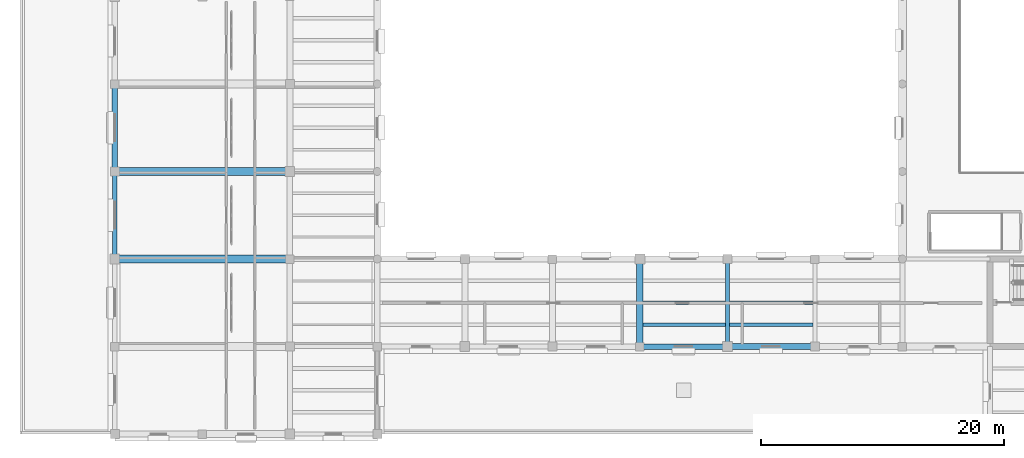
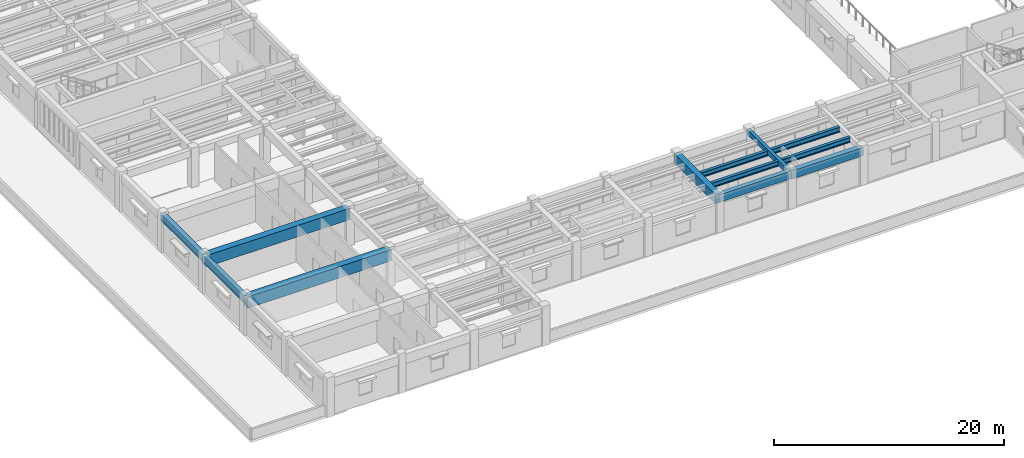
# One storey, part 4 of 76: 12 beams.
"""IFC4 building model written with IfcOpenShell, lengths in metres."""

from ifc_helpers import new_model, si_unit, direction, frame, origin, origin_2d, place, context, subcontext, project, spatial, rectangle, i_section, extrude, material, material_profile, profile_set, type_object, element, save


model = new_model("IFC4")

# Units and contexts
model_context = context("Model", 3, precision=1e-05, world=origin(), true_north=direction((0.0, 1.0)))
body_context = subcontext(model_context, "Body", "Model", "MODEL_VIEW")
ifc_project = project(units=[si_unit("LENGTHUNIT", "METRE"), si_unit("AREAUNIT", "SQUARE_METRE"), si_unit("VOLUMEUNIT", "CUBIC_METRE"), si_unit("PLANEANGLEUNIT", "RADIAN"), si_unit("MASSUNIT", "GRAM", prefix="KILO")], contexts=[model_context])

# Site, building, storey
site_placement = place(None, origin())
site = spatial("IfcSite", under=ifc_project, at=site_placement, CompositionType="ELEMENT")
building_placement = place(site_placement, origin())
building = spatial("IfcBuilding", under=site, at=building_placement, Name="Mithqara Police Headquarters", CompositionType="ELEMENT")
storey_placement = place(building_placement, frame((0.0, 0.0, 5.39990234375)))
storey = spatial("IfcBuildingStorey", under=building, at=storey_placement, Name="L01", CompositionType="ELEMENT", Elevation=5.39990234375)

# Beams
ifc_material_1 = material(Name="Steel S355JR", Category="steel")
ifc_material_profile_1 = material_profile(ifc_material_1, i_section(OverallWidth=0.300048828125, OverallDepth=0.550048828125, WebThickness=0.014892578125, FlangeThickness=0.029052734375, FilletRadius=0.027099609375, at=origin_2d()), Name="HEB 550")
ifc_profile_set_1 = profile_set([ifc_material_profile_1], Name="Steel S355JR")
beam_type_1 = type_object("IfcBeamType", Name="BEAM HEB550", PredefinedType="BEAM", material=ifc_profile_set_1)
for number, where, z_axis, x_axis, name in (
    (1, (51.27490234375, 30.0, 3.64501953125), (1.0, 0.0, 0.0), (0.0, 1.0, 0.0), "L01 Composite Steel Joist 8-9/E.1"),
    (2, (51.27490234375, 31.800048828125, 3.64501953125), (1.0, 0.0, 0.0), (0.0, 1.0, 0.0), "L01 Composite Steel Joist 8-9/E.2"),
):
    element("IfcBeam", number, at=place(storey_placement, frame(where, z_axis=z_axis, x_axis=x_axis)), inside=storey, type_object=beam_type_1, Name=name, PredefinedType="BEAM", context=body_context, shape_type="SweptSolid", body=[
        extrude(i_section(OverallWidth=0.300048828125, OverallDepth=0.550048828125, WebThickness=0.014892578125, FlangeThickness=0.029052734375, FilletRadius=0.027099609375, at=origin_2d()), origin(), (0.0, 0.0, 1.0), 6.75),
    ])
for number, where, z_axis, x_axis, name in (
    (3, (58.375, 30.0, 3.64501953125), (1.0, 0.0, 0.0), (0.0, 1.0, 0.0), "L01 Composite Steel Joist 9-10/E.1"),
    (4, (58.375, 31.800048828125, 3.64501953125), (1.0, 0.0, 0.0), (0.0, 1.0, 0.0), "L01 Composite Steel Joist 9-10/E.2"),
):
    element("IfcBeam", number, at=place(storey_placement, frame(where, z_axis=z_axis, x_axis=x_axis)), inside=storey, type_object=beam_type_1, Name=name, PredefinedType="BEAM", context=body_context, shape_type="SweptSolid", body=[
        extrude(i_section(OverallWidth=0.300048828125, OverallDepth=0.550048828125, WebThickness=0.014892578125, FlangeThickness=0.029052734375, FilletRadius=0.027099609375, at=origin_2d()), origin(), (0.0, 0.0, 1.0), 6.85009765625),
    ])
ifc_material_2 = material(Name="Concrete C40/50", Category="concrete")
ifc_material_profile_2 = material_profile(ifc_material_2, rectangle(XDim=0.35009765625, YDim=0.550048828125, at=origin_2d()), Name="RC 350x550")
ifc_profile_set_2 = profile_set([ifc_material_profile_2], Name="Concrete C40/50")
beam_type_2 = type_object("IfcBeamType", Name="BEAM RC350X550", PredefinedType="BEAM", material=ifc_profile_set_2)
beam_1_placement = place(storey_placement, frame((58.199951171875, 28.199951171875, 3.64501953125), z_axis=(0.0, 1.0, 0.0), x_axis=(-1.0, 0.0, 0.0)))
element("IfcBeam", 5, at=beam_1_placement, inside=storey, type_object=beam_type_2, Name="L01 Girder 9/E-F", PredefinedType="BEAM", context=body_context, shape_type="SweptSolid", body=[
    extrude(rectangle(XDim=0.35009765625, YDim=0.550048828125, at=origin_2d()), origin(), (0.0, 0.0, 1.0), 7.199951171875),
])
ifc_material_profile_3 = material_profile(ifc_material_2, rectangle(XDim=0.39990234375, YDim=0.75, at=origin_2d()), Name="RC 400x750")
ifc_profile_set_3 = profile_set([ifc_material_profile_3], Name="Concrete C40/50")
beam_type_3 = type_object("IfcBeamType", Name="BEAM RC400X750", PredefinedType="BEAM", material=ifc_profile_set_3)
beam_2_placement = place(storey_placement, frame((7.800048828125, 35.39990234375, 3.545166015625), z_axis=(0.0, 1.0, 0.0), x_axis=(-1.0, 0.0, 0.0)))
element("IfcBeam", 6, at=beam_2_placement, inside=storey, type_object=beam_type_3, Name="L01 Girder 2/F-G", PredefinedType="BEAM", context=body_context, shape_type="SweptSolid", body=[
    extrude(rectangle(XDim=0.39990234375, YDim=0.75, at=origin_2d()), origin(), (0.0, 0.0, 1.0), 7.2001953125),
])
ifc_material_profile_4 = material_profile(ifc_material_2, rectangle(XDim=0.449951171875, YDim=0.699951171875, at=origin_2d()), Name="RC 450x700")
ifc_profile_set_4 = profile_set([ifc_material_profile_4], Name="Concrete C40/50")
beam_type_4 = type_object("IfcBeamType", Name="BEAM RC450X700", PredefinedType="BEAM", material=ifc_profile_set_4)
beam_3_placement = place(storey_placement, frame((7.800048828125, 42.60009765625, 3.570068359375), z_axis=(0.0, 1.0, 0.0), x_axis=(-1.0, 0.0, 0.0)))
element("IfcBeam", 7, at=beam_3_placement, inside=storey, type_object=beam_type_4, Name="L01 Girder 2/G-H", PredefinedType="BEAM", context=body_context, shape_type="SweptSolid", body=[
    extrude(rectangle(XDim=0.449951171875, YDim=0.699951171875, at=origin_2d()), origin(), (0.0, 0.0, 1.0), 7.199951171875),
])
ifc_material_profile_5 = material_profile(ifc_material_2, rectangle(XDim=0.449951171875, YDim=0.800048828125, at=origin_2d()), Name="RC 450x800")
ifc_profile_set_5 = profile_set([ifc_material_profile_5], Name="Concrete C40/50")
beam_type_5 = type_object("IfcBeamType", Name="BEAM RC450X800", PredefinedType="BEAM", material=ifc_profile_set_5)
beam_4_placement = place(storey_placement, frame((51.0, 28.199951171875, 3.52001953125), z_axis=(1.0, 0.0, 0.0), x_axis=(0.0, 1.0, 0.0)))
element("IfcBeam", 8, at=beam_4_placement, inside=storey, type_object=beam_type_5, Name="L01 Girder 8-9/E", PredefinedType="BEAM", context=body_context, shape_type="SweptSolid", body=[
    extrude(rectangle(XDim=0.449951171875, YDim=0.800048828125, at=origin_2d()), origin(), (0.0, 0.0, 1.0), 7.199951171875),
])
ifc_material_profile_6 = material_profile(ifc_material_2, rectangle(XDim=0.5, YDim=0.85009765625, at=origin_2d()), Name="RC 500x850")
ifc_profile_set_6 = profile_set([ifc_material_profile_6], Name="Concrete C40/50")
beam_type_6 = type_object("IfcBeamType", Name="BEAM RC500X850", PredefinedType="BEAM", material=ifc_profile_set_6)
beam_5_placement = place(storey_placement, frame((58.199951171875, 28.199951171875, 3.4951171875), z_axis=(1.0, 0.0, 0.0), x_axis=(0.0, 1.0, 0.0)))
element("IfcBeam", 9, at=beam_5_placement, inside=storey, type_object=beam_type_6, Name="L01 Girder 9-10/E", PredefinedType="BEAM", context=body_context, shape_type="SweptSolid", body=[
    extrude(rectangle(XDim=0.5, YDim=0.85009765625, at=origin_2d()), origin(), (0.0, 0.0, 1.0), 7.199951171875),
])
ifc_material_3 = material(Name="Concrete C50/60", Category="concrete")
ifc_material_profile_7 = material_profile(ifc_material_3, rectangle(XDim=0.550048828125, YDim=1.0, at=origin_2d()), Name="RC 550x1000")
ifc_profile_set_7 = profile_set([ifc_material_profile_7], Name="Concrete C50/60")
beam_type_7 = type_object("IfcBeamType", Name="BEAM RC550X1000", PredefinedType="BEAM", material=ifc_profile_set_7)
beam_6_placement = place(storey_placement, frame((51.0, 28.199951171875, 3.420166015625), z_axis=(0.0, 1.0, 0.0), x_axis=(-1.0, 0.0, 0.0)))
element("IfcBeam", 10, at=beam_6_placement, inside=storey, type_object=beam_type_7, Name="L01 Girder 8/E-F", PredefinedType="BEAM", context=body_context, shape_type="SweptSolid", body=[
    extrude(rectangle(XDim=0.550048828125, YDim=1.0, at=origin_2d()), origin(), (0.0, 0.0, 1.0), 7.199951171875),
])
ifc_material_profile_8 = material_profile(ifc_material_3, rectangle(XDim=0.64990234375, YDim=1.199951171875, at=origin_2d()), Name="RC 650x1200")
ifc_profile_set_8 = profile_set([ifc_material_profile_8], Name="Concrete C50/60")
beam_type_8 = type_object("IfcBeamType", Name="TRANSFER RC650X1200", PredefinedType="BEAM", material=ifc_profile_set_8)
for number, where, z_axis, x_axis, name in (
    (11, (7.800048828125, 35.39990234375, 3.320068359375), (1.0, 0.0, 0.0), (0.0, 1.0, 0.0), "L01 Girder 2-4/F"),
    (12, (7.800048828125, 42.60009765625, 3.320068359375), (1.0, 0.0, 0.0), (0.0, 1.0, 0.0), "L01 Girder 2-4/G"),
):
    element("IfcBeam", number, at=place(storey_placement, frame(where, z_axis=z_axis, x_axis=x_axis)), inside=storey, type_object=beam_type_8, Name=name, PredefinedType="BEAM", context=body_context, shape_type="SweptSolid", body=[
        extrude(rectangle(XDim=0.64990234375, YDim=1.199951171875, at=origin_2d()), origin(), (0.0, 0.0, 1.0), 14.39990234375),
    ])

save(model, "model.ifc")
